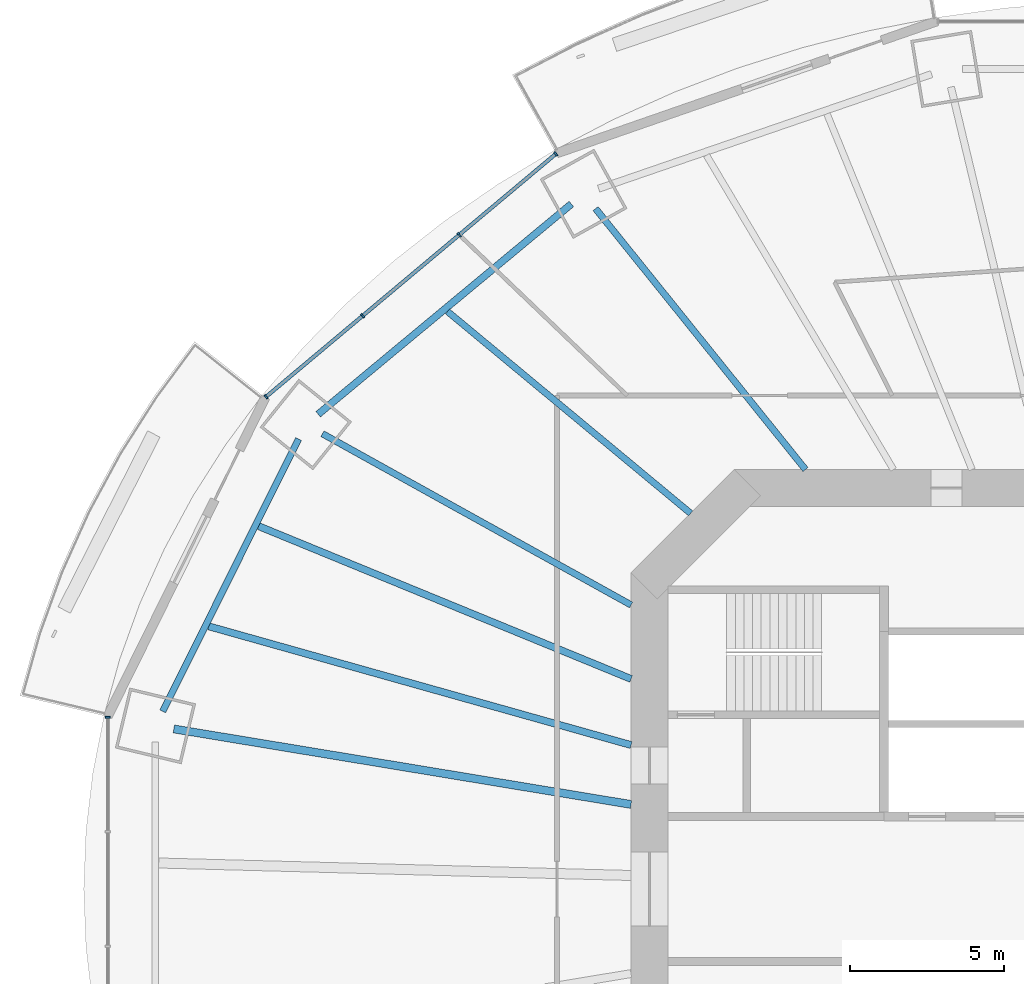
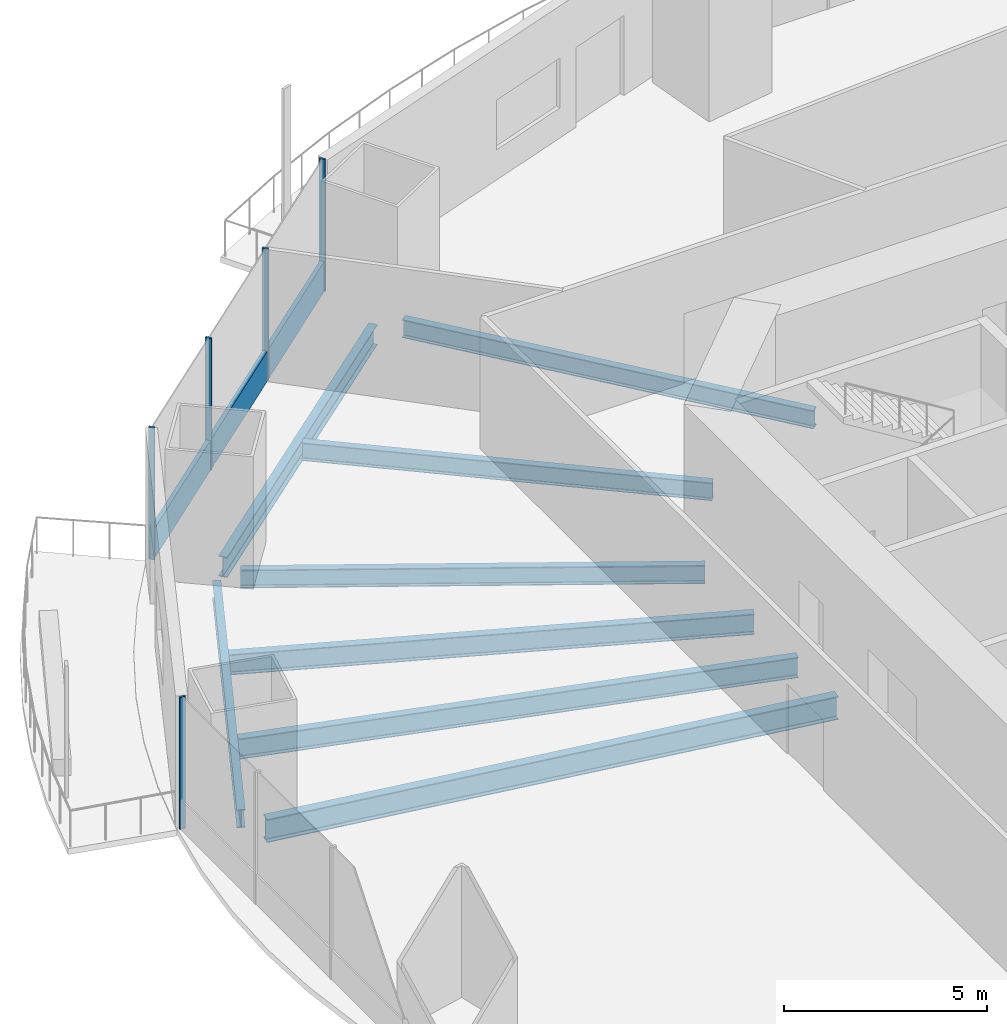
# One storey, part 6 of 22: 8 beams, 6 members, 2 elements without a shape of their own.
"""IFC4 building model written with IfcOpenShell, lengths in metres."""

from ifc_helpers import new_model, si_unit, direction, frame, origin, origin_2d, place, context, subcontext, project, spatial, rectangle, i_section, extrude, material, material_profile, profile_set, type_object, element, aggregate, save


model = new_model("IFC4")

# Units and contexts
model_context = context("Model", 3, precision=1e-05, world=origin(), true_north=direction((0.0, 1.0)))
body_context = subcontext(model_context, "Body", "Model", "MODEL_VIEW")
ifc_project = project(units=[si_unit("LENGTHUNIT", "METRE"), si_unit("AREAUNIT", "SQUARE_METRE"), si_unit("VOLUMEUNIT", "CUBIC_METRE"), si_unit("PLANEANGLEUNIT", "RADIAN"), si_unit("MASSUNIT", "GRAM", prefix="KILO")], contexts=[model_context])

# Site, building, storey
site_placement = place(None, origin())
site = spatial("IfcSite", under=ifc_project, at=site_placement, CompositionType="ELEMENT")
building_placement = place(site_placement, origin())
building = spatial("IfcBuilding", under=site, at=building_placement, Name="Marenthal Gate Tower", CompositionType="ELEMENT")
storey_placement = place(building_placement, frame((0.0, 0.0, 116.0)))
storey = spatial("IfcBuildingStorey", under=building, at=storey_placement, Name="L24", CompositionType="ELEMENT", Elevation=116.0)

# Curtain wall, members
ifc_material_1 = material(Name="Aluminium and glass", Category="aluminium")
curtain_wall_type = type_object("IfcCurtainWallType", Name="Curtain wall typical low", PredefinedType="NOTDEFINED", material=ifc_material_1)
curtain_wall_1_placement = place(storey_placement, origin())
curtain_wall_1 = element("IfcCurtainWall", 1, at=curtain_wall_1_placement, inside=storey, type_object=curtain_wall_type, Name="Curtain wall L24 bay 6", PredefinedType="NOTDEFINED")
ifc_material_2 = material(Name="Aluminium", Category="aluminium")
ifc_material_profile_1 = material_profile(ifc_material_2, rectangle(XDim=0.159912109375, YDim=0.06005859375, at=origin_2d()), Name="60x160 aluminium mullion")
ifc_profile_set_1 = profile_set([ifc_material_profile_1], Name="Aluminium")
member_type_1 = type_object("IfcMemberType", Name="Mullion 60x160 typical low", PredefinedType="MULLION", material=ifc_profile_set_1)
member_1_placement = place(storey_placement, frame((-19.037841796875, 23.833984375, 0.0), z_axis=(0.0, 0.0, 1.0), x_axis=(0.642377082487, -0.766388728972, 0.0)))
member_1 = element("IfcMember", 2, at=member_1_placement, type_object=member_type_1, Name="Mullion L24 bay 6.1", PredefinedType="MULLION", context=body_context, shape_type="SweptSolid", body=[
    extrude(rectangle(XDim=0.159912109375, YDim=0.06005859375, at=origin_2d()), origin(), (0.0, 0.0, 1.0), 3.969970703125),
])
member_2_placement = place(storey_placement, frame((-22.170166015625, 21.20849609375, 0.0), z_axis=(0.0, 0.0, 1.0), x_axis=(0.642377082487, -0.766388728972, 0.0)))
member_2 = element("IfcMember", 3, at=member_2_placement, type_object=member_type_1, Name="Mullion L24 bay 6.2", PredefinedType="MULLION", context=body_context, shape_type="SweptSolid", body=[
    extrude(rectangle(XDim=0.159912109375, YDim=0.06005859375, at=origin_2d()), origin(), (0.0, 0.0, 1.0), 3.969970703125),
])
member_3_placement = place(storey_placement, frame((-25.302490234375, 18.5830078125, 0.0), z_axis=(0.0, 0.0, 1.0), x_axis=(0.642377082487, -0.766388728972, 0.0)))
member_3 = element("IfcMember", 4, at=member_3_placement, type_object=member_type_1, Name="Mullion L24 bay 6.3", PredefinedType="MULLION", context=body_context, shape_type="SweptSolid", body=[
    extrude(rectangle(XDim=0.159912109375, YDim=0.06005859375, at=origin_2d()), origin(), (0.0, 0.0, 1.0), 3.969970703125),
])
member_4_placement = place(storey_placement, frame((-28.434814453125, 15.95751953125, 0.0), z_axis=(0.0, 0.0, 1.0), x_axis=(0.642377082487, -0.766388728972, 0.0)))
member_4 = element("IfcMember", 5, at=member_4_placement, type_object=member_type_1, Name="Mullion L24 bay 6.4", PredefinedType="MULLION", context=body_context, shape_type="SweptSolid", body=[
    extrude(rectangle(XDim=0.159912109375, YDim=0.06005859375, at=origin_2d()), origin(), (0.0, 0.0, 1.0), 3.969970703125),
])

# Curtain wall, member
curtain_wall_2_placement = place(storey_placement, origin())
curtain_wall_2 = element("IfcCurtainWall", 6, at=curtain_wall_2_placement, inside=storey, type_object=curtain_wall_type, Name="Curtain wall L24 bay 8", PredefinedType="NOTDEFINED")
member_5_placement = place(storey_placement, frame((-33.568359375, 5.56689453125, 0.0), z_axis=(0.0, 0.0, 1.0), x_axis=(1.0, 0.0, 0.0)))
member_5 = element("IfcMember", 7, at=member_5_placement, type_object=member_type_1, Name="Mullion L24 bay 8.1", PredefinedType="MULLION", context=body_context, shape_type="SweptSolid", body=[
    extrude(rectangle(XDim=0.159912109375, YDim=0.06005859375, at=origin_2d()), origin(), (0.0, 0.0, 1.0), 3.969970703125),
])
aggregate(curtain_wall_2, [member_5])

# Member
ifc_material_3 = material(Name="Aluminium", Category="aluminium")
ifc_material_profile_2 = material_profile(ifc_material_3, rectangle(XDim=0.1201171875, YDim=0.89990234375, at=origin_2d()), Name="120x900 aluminium transom")
ifc_profile_set_2 = profile_set([ifc_material_profile_2], Name="Aluminium")
member_type_2 = type_object("IfcMemberType", Name="Transom 120x900 typical low", PredefinedType="USERDEFINED", material=ifc_profile_set_2)
member_6_placement = place(storey_placement, frame((-19.060791015625, 23.814697265625, 0.449951171875), z_axis=(-0.766391084467, -0.64237427225, 0.0), x_axis=(0.64237427225, -0.766391084467, 0.0)))
member_6 = element("IfcMember", 8, at=member_6_placement, type_object=member_type_2, Name="Transom L24 bay 6", ObjectType="TRANSOM", PredefinedType="USERDEFINED", context=body_context, shape_type="SweptSolid", body=[
    extrude(rectangle(XDim=0.1201171875, YDim=0.89990234375, at=origin_2d()), origin(), (0.0, 0.0, 1.0), 12.201416015625),
])

aggregate(curtain_wall_1, [member_1, member_2, member_3, member_4, member_6])

# Beams
ifc_material_4 = material(Name="Steel S355", Category="steel")
ifc_material_profile_3 = material_profile(ifc_material_4, i_section(OverallWidth=0.2099609375, OverallDepth=0.535888671875, WebThickness=0.010986328125, FlangeThickness=0.017333984375, FilletRadius=0.0126953125, at=origin_2d()), Name="W530X101")
ifc_profile_set_3 = profile_set([ifc_material_profile_3], Name="Steel S355")
beam_type_1 = type_object("IfcBeamType", Name="W530X101 beam", PredefinedType="BEAM", material=ifc_profile_set_3)
beam_1_placement = place(storey_placement, frame((-22.551025390625, 18.7255859375, -0.447998046875), z_axis=(0.769343150929, -0.638835750501, 0.0), x_axis=(0.638835750501, 0.769343150929, 0.0)))
element("IfcBeam", 9, at=beam_1_placement, inside=storey, type_object=beam_type_1, Name="BM-L24-25", PredefinedType="BEAM", context=body_context, shape_type="SweptSolid", body=[
    extrude(i_section(OverallWidth=0.2099609375, OverallDepth=0.535888671875, WebThickness=0.010986328125, FlangeThickness=0.017333984375, FilletRadius=0.0126953125, at=origin_2d()), origin(), (0.0, 0.0, 1.0), 10.245849609375),
])
ifc_material_5 = material(Name="Steel S355", Category="steel")
ifc_material_profile_4 = material_profile(ifc_material_5, i_section(OverallWidth=0.2119140625, OverallDepth=0.5439453125, WebThickness=0.01318359375, FlangeThickness=0.021240234375, FilletRadius=0.0126953125, at=origin_2d()), Name="W530X123")
ifc_profile_set_4 = profile_set([ifc_material_profile_4], Name="Steel S355")
beam_type_2 = type_object("IfcBeamType", Name="W530X123 beam", PredefinedType="BEAM", material=ifc_profile_set_4)
beam_2_placement = place(storey_placement, frame((-17.750732421875, 22.059326171875, -0.451904296875), z_axis=(0.626924535124, -0.779079987716, 0.0), x_axis=(0.779079987716, 0.626924535124, 0.0)))
element("IfcBeam", 10, at=beam_2_placement, inside=storey, type_object=beam_type_2, Name="BM-L24-06", PredefinedType="BEAM", context=body_context, shape_type="SweptSolid", body=[
    extrude(i_section(OverallWidth=0.2119140625, OverallDepth=0.5439453125, WebThickness=0.01318359375, FlangeThickness=0.021240234375, FilletRadius=0.0126953125, at=origin_2d()), origin(), (0.0, 0.0, 1.0), 10.85791015625),
])
beam_3_placement = place(storey_placement, frame((-26.605224609375, 14.761474609375, -0.451904296875), z_axis=(0.87442184895, -0.485166394218, 0.0), x_axis=(0.485166394218, 0.87442184895, 0.0)))
element("IfcBeam", 11, at=beam_3_placement, inside=storey, type_object=beam_type_2, Name="BM-L24-07", PredefinedType="BEAM", context=body_context, shape_type="SweptSolid", body=[
    extrude(i_section(OverallWidth=0.2119140625, OverallDepth=0.5439453125, WebThickness=0.01318359375, FlangeThickness=0.021240234375, FilletRadius=0.0126953125, at=origin_2d()), origin(), (0.0, 0.0, 1.0), 11.44189453125),
])
beam_4_placement = place(storey_placement, frame((-27.3779296875, 14.591796875, -0.451904296875), z_axis=(-0.446372399163, -0.894847294942, 0.0), x_axis=(0.894847294942, -0.446372399163, 0.0)))
element("IfcBeam", 12, at=beam_4_placement, inside=storey, type_object=beam_type_2, Name="BM-L24-47", PredefinedType="BEAM", context=body_context, shape_type="SweptSolid", body=[
    extrude(i_section(OverallWidth=0.2119140625, OverallDepth=0.5439453125, WebThickness=0.01318359375, FlangeThickness=0.021240234375, FilletRadius=0.0126953125, at=origin_2d()), origin(), (0.0, 0.0, 1.0), 9.8701171875),
])
ifc_material_6 = material(Name="Steel S355", Category="steel")
ifc_material_profile_5 = material_profile(ifc_material_6, i_section(OverallWidth=0.22900390625, OverallDepth=0.612060546875, WebThickness=0.011962890625, FlangeThickness=0.01953125, FilletRadius=0.0126953125, at=origin_2d()), Name="W610X125")
ifc_profile_set_5 = profile_set([ifc_material_profile_5], Name="Steel S355")
beam_type_3 = type_object("IfcBeamType", Name="W610X125 beam", PredefinedType="BEAM", material=ifc_profile_set_5)
beam_5_placement = place(storey_placement, frame((-28.670654296875, 11.7626953125, -0.486083984375), z_axis=(0.925165248612, -0.379564569949, 0.0), x_axis=(0.379564569949, 0.925165248612, 0.0)))
element("IfcBeam", 13, at=beam_5_placement, inside=storey, type_object=beam_type_3, Name="BM-L24-26", PredefinedType="BEAM", context=body_context, shape_type="SweptSolid", body=[
    extrude(i_section(OverallWidth=0.22900390625, OverallDepth=0.612060546875, WebThickness=0.011962890625, FlangeThickness=0.01953125, FilletRadius=0.0126953125, at=origin_2d()), origin(), (0.0, 0.0, 1.0), 13.046875),
])
beam_6_placement = place(storey_placement, frame((-30.2900390625, 8.5166015625, -0.486083984375), z_axis=(0.962672470775, -0.270669011917, 0.0), x_axis=(0.270669011917, 0.962672470775, 0.0)))
element("IfcBeam", 14, at=beam_6_placement, inside=storey, type_object=beam_type_3, Name="BM-L24-27", PredefinedType="BEAM", context=body_context, shape_type="SweptSolid", body=[
    extrude(i_section(OverallWidth=0.22900390625, OverallDepth=0.612060546875, WebThickness=0.011962890625, FlangeThickness=0.01953125, FilletRadius=0.0126953125, at=origin_2d()), origin(), (0.0, 0.0, 1.0), 14.220703125),
])
beam_7_placement = place(storey_placement, frame((-18.535400390625, 22.208740234375, -0.486083984375), z_axis=(-0.769349195684, -0.638828470796, 0.0), x_axis=(0.638828470796, -0.769349195684, 0.0)))
element("IfcBeam", 15, at=beam_7_placement, inside=storey, type_object=beam_type_3, Name="BM-L24-46", PredefinedType="BEAM", context=body_context, shape_type="SweptSolid", body=[
    extrude(i_section(OverallWidth=0.22900390625, OverallDepth=0.612060546875, WebThickness=0.011962890625, FlangeThickness=0.01953125, FilletRadius=0.0126953125, at=origin_2d()), origin(), (0.0, 0.0, 1.0), 10.66943359375),
])
ifc_material_7 = material(Name="Steel S355", Category="steel")
ifc_material_profile_6 = material_profile(ifc_material_7, i_section(OverallWidth=0.257080078125, OverallDepth=0.693115234375, WebThickness=0.014404296875, FlangeThickness=0.023681640625, FilletRadius=0.015380859375, at=origin_2d()), Name="W690X170")
ifc_profile_set_6 = profile_set([ifc_material_profile_6], Name="Steel S355")
beam_type_4 = type_object("IfcBeamType", Name="W690X170 beam", PredefinedType="BEAM", material=ifc_profile_set_6)
beam_8_placement = place(storey_placement, frame((-31.423828125, 5.190185546875, -0.526611328125), z_axis=(0.986631792526, -0.162965352074, 0.0), x_axis=(0.162965352074, 0.986631792526, 0.0)))
element("IfcBeam", 16, at=beam_8_placement, inside=storey, type_object=beam_type_4, Name="BM-L24-08", PredefinedType="BEAM", context=body_context, shape_type="SweptSolid", body=[
    extrude(i_section(OverallWidth=0.257080078125, OverallDepth=0.693115234375, WebThickness=0.014404296875, FlangeThickness=0.023681640625, FilletRadius=0.015380859375, at=origin_2d()), origin(), (0.0, 0.0, 1.0), 15.024658203125),
])

save(model, "model.ifc")
